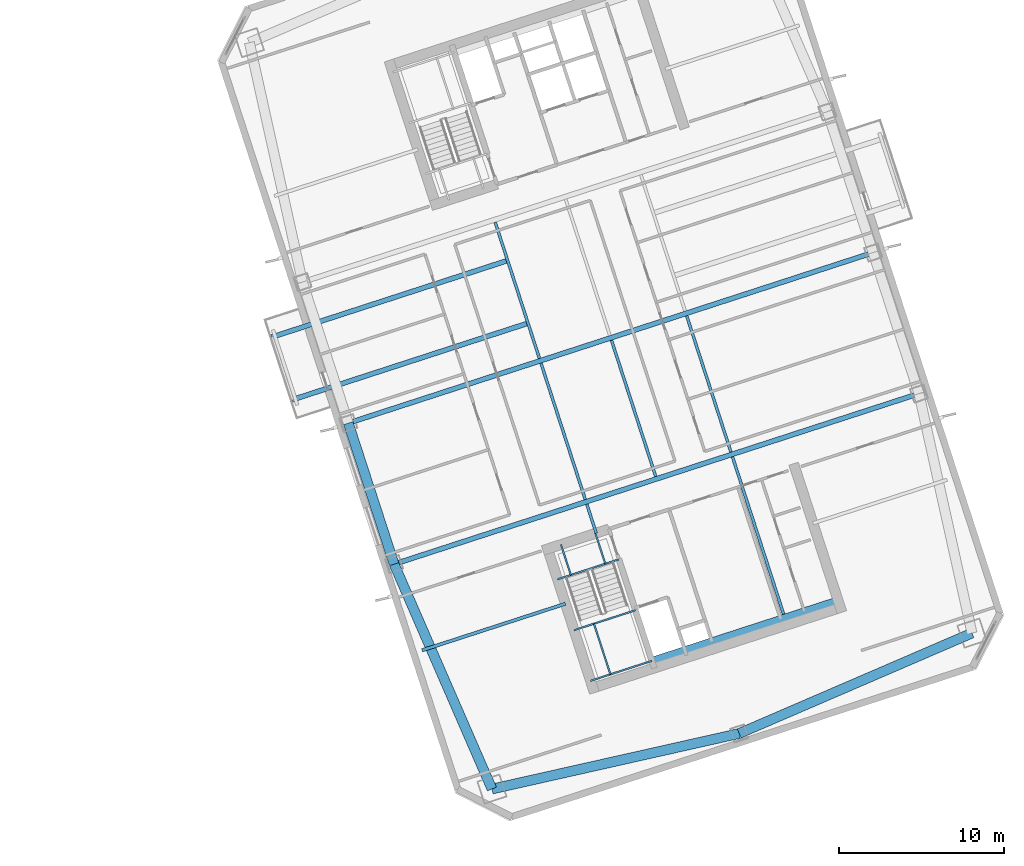
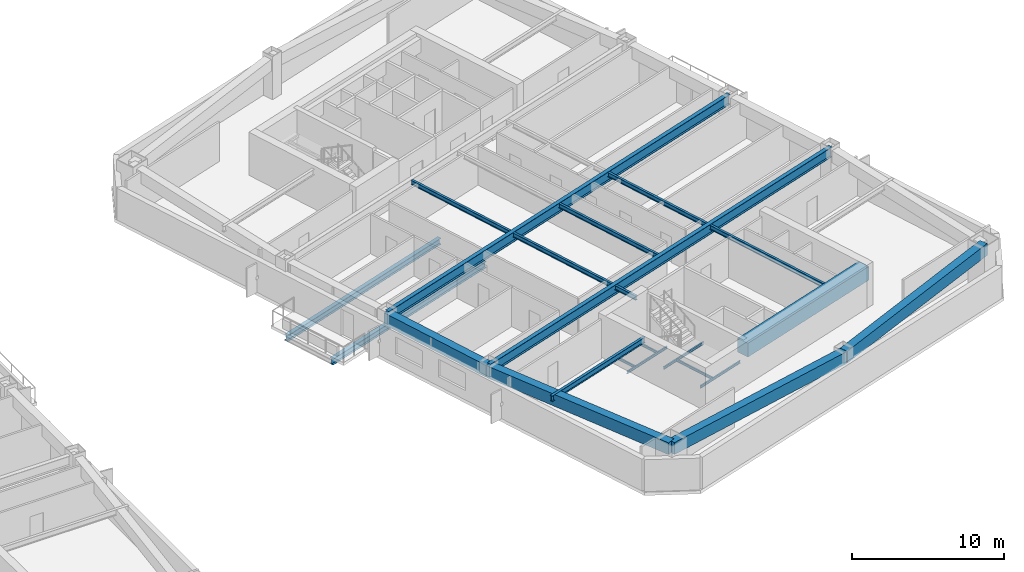
# One storey, part 8 of 23: 22 beams.
"""IFC4 building model written with IfcOpenShell, lengths in metres."""

from ifc_helpers import new_model, si_unit, direction, frame, origin, origin_2d, place, context, subcontext, project, spatial, rectangle, i_section, extrude, material, material_profile, profile_set, type_object, element, save


model = new_model("IFC4")

# Units and contexts
model_context = context("Model", 3, precision=1e-05, world=origin(), true_north=direction((0.0, 1.0)))
body_context = subcontext(model_context, "Body", "Model", "MODEL_VIEW")
ifc_project = project(units=[si_unit("LENGTHUNIT", "METRE"), si_unit("AREAUNIT", "SQUARE_METRE"), si_unit("VOLUMEUNIT", "CUBIC_METRE"), si_unit("PLANEANGLEUNIT", "RADIAN"), si_unit("MASSUNIT", "GRAM", prefix="KILO")], contexts=[model_context])

# Site, building, storey
site_placement = place(None, origin())
site = spatial("IfcSite", under=ifc_project, at=site_placement, CompositionType="ELEMENT")
building_placement = place(site_placement, origin())
building = spatial("IfcBuilding", under=site, at=building_placement, Name="Qiaolan Cultural Towers", CompositionType="ELEMENT")
storey_placement = place(building_placement, frame((0.0, 0.0, 100.050048828125)))
storey = spatial("IfcBuildingStorey", under=building, at=storey_placement, Name="L25", CompositionType="ELEMENT", Elevation=100.050048828125)

# Beams
ifc_material_1 = material(Name="Steel Q355B", Category="steel")
ifc_material_profile_1 = material_profile(ifc_material_1, i_section(OverallWidth=0.300048828125, OverallDepth=0.488037109375, WebThickness=0.010986328125, FlangeThickness=0.01806640625, at=origin_2d()), Name="HM488x300x11x18")
ifc_profile_set_1 = profile_set([ifc_material_profile_1], Name="Steel Q355B")
beam_type_1 = type_object("IfcBeamType", Name="BM-HM488x300x11x18", PredefinedType="BEAM", material=ifc_profile_set_1)
for number, where, z_axis, x_axis, name in (
    (1, (84.978515625, 34.891845703125, -0.524169921875), (-0.95105683587, -0.309016010822, 0.0), (0.309016010822, -0.95105683587, 0.0), "L25 T2 Tree Balcony Back-Spanned Bracket Beam"),
    (2, (83.742431640625, 38.6962890625, -0.524169921875), (-0.95105206822, -0.309030683808, 0.0), (0.309030683808, -0.95105206822, 0.0), "L25 T2 Tree Balcony Back-Spanned Bracket Beam"),
):
    element("IfcBeam", number, at=place(storey_placement, frame(where, z_axis=z_axis, x_axis=x_axis)), inside=storey, type_object=beam_type_1, Name=name, PredefinedType="BEAM", context=body_context, shape_type="SweptSolid", body=[
        extrude(i_section(OverallWidth=0.300048828125, OverallDepth=0.488037109375, WebThickness=0.010986328125, FlangeThickness=0.01806640625, at=origin_2d()), origin(), (0.0, 0.0, 1.0), 15.0498046875),
    ])
ifc_material_2 = material(Name="Steel Q355B", Category="steel")
ifc_material_profile_2 = material_profile(ifc_material_2, i_section(OverallWidth=0.300048828125, OverallDepth=0.800048828125, WebThickness=0.013916015625, FlangeThickness=0.02587890625, at=origin_2d()), Name="HN800x300x14x26")
ifc_profile_set_2 = profile_set([ifc_material_profile_2], Name="Steel Q355B")
beam_type_2 = type_object("IfcBeamType", Name="BM-HN800x300x14x26", PredefinedType="BEAM", material=ifc_profile_set_2)
for number, where, z_axis, x_axis, name in (
    (3, (76.85107421875, 20.264404296875, 2.7900390625), (0.951056559899, 0.309016860175, 0.0), (-0.309016860175, 0.951056559899, 0.0), "L25 T2 Primary Transverse Girder V1"),
    (4, (74.06982421875, 28.823974609375, 2.7900390625), (0.951056559899, 0.309016860175, 0.0), (-0.309016860175, 0.951056559899, 0.0), "L25 T2 Primary Transverse Girder V2"),
):
    element("IfcBeam", number, at=place(storey_placement, frame(where, z_axis=z_axis, x_axis=x_axis)), inside=storey, type_object=beam_type_2, Name=name, PredefinedType="BEAM", context=body_context, shape_type="SweptSolid", body=[
        extrude(i_section(OverallWidth=0.300048828125, OverallDepth=0.800048828125, WebThickness=0.013916015625, FlangeThickness=0.02587890625, at=origin_2d()), origin(), (0.0, 0.0, 1.0), 33.5),
    ])
ifc_material_3 = material(Name="Steel Q355B", Category="steel")
ifc_material_profile_3 = material_profile(ifc_material_3, i_section(OverallWidth=0.175048828125, OverallDepth=0.35009765625, WebThickness=0.007080078125, FlangeThickness=0.010986328125, at=origin_2d()), Name="HN350x175x7x11")
ifc_profile_set_3 = profile_set([ifc_material_profile_3], Name="Steel Q355B")
beam_type_3 = type_object("IfcBeamType", Name="BM-JST-HN350x175x7x11", PredefinedType="JOIST", material=ifc_profile_set_3)
beam_1_placement = place(storey_placement, frame((89.119384765625, 22.147705078125, 3.014892578125), z_axis=(-0.308933885266, 0.951083516067, 0.0), x_axis=(-0.951083516067, -0.308933885266, 0.0)))
element("IfcBeam", 5, at=beam_1_placement, inside=storey, type_object=beam_type_3, Name="L25 T2 Secondary Floor Joist U1-1", PredefinedType="JOIST", context=body_context, shape_type="SweptSolid", body=[
    extrude(i_section(OverallWidth=0.175048828125, OverallDepth=0.35009765625, WebThickness=0.007080078125, FlangeThickness=0.010986328125, at=origin_2d()), origin(), (0.0, 0.0, 1.0), 1.85009765625),
])
for number, where, z_axis, x_axis, name in (
    (6, (88.455078125, 24.192626953125, 3.014892578125), (-0.309020714809, 0.951055307445, 0.0), (-0.951055307445, -0.309020714809, 0.0), "L25 T2 Secondary Floor Joist U1-2"),
    (7, (85.673828125, 32.752197265625, 3.014892578125), (-0.309020714809, 0.951055307445, 0.0), (-0.951055307445, -0.309020714809, 0.0), "L25 T2 Secondary Floor Joist U1-3"),
    (8, (92.73486328125, 25.583251953125, 3.014892578125), (-0.309020714809, 0.951055307445, 0.0), (-0.951055307445, -0.309020714809, 0.0), "L25 T2 Secondary Floor Joist U2-2"),
):
    element("IfcBeam", number, at=place(storey_placement, frame(where, z_axis=z_axis, x_axis=x_axis)), inside=storey, type_object=beam_type_3, Name=name, PredefinedType="JOIST", context=body_context, shape_type="SweptSolid", body=[
        extrude(i_section(OverallWidth=0.175048828125, OverallDepth=0.35009765625, WebThickness=0.007080078125, FlangeThickness=0.010986328125, at=origin_2d()), origin(), (0.0, 0.0, 1.0), 8.699951171875),
    ])
beam_2_placement = place(storey_placement, frame((100.498291015625, 17.222900390625, 3.014892578125), z_axis=(-0.309025649293, 0.951053704098, 0.0), x_axis=(-0.951053704098, -0.309025649293, 0.0)))
element("IfcBeam", 9, at=beam_2_placement, inside=storey, type_object=beam_type_3, Name="L25 T2 Secondary Floor Joist U3-1", PredefinedType="JOIST", context=body_context, shape_type="SweptSolid", body=[
    extrude(i_section(OverallWidth=0.175048828125, OverallDepth=0.35009765625, WebThickness=0.007080078125, FlangeThickness=0.010986328125, at=origin_2d()), origin(), (0.0, 0.0, 1.0), 10.050048828125),
])
beam_3_placement = place(storey_placement, frame((97.2998046875, 27.06640625, 3.014892578125), z_axis=(-0.309020714809, 0.951055307445, 0.0), x_axis=(-0.951055307445, -0.309020714809, 0.0)))
element("IfcBeam", 10, at=beam_3_placement, inside=storey, type_object=beam_type_3, Name="L25 T2 Secondary Floor Joist U3-2", PredefinedType="JOIST", context=body_context, shape_type="SweptSolid", body=[
    extrude(i_section(OverallWidth=0.175048828125, OverallDepth=0.35009765625, WebThickness=0.007080078125, FlangeThickness=0.010986328125, at=origin_2d()), origin(), (0.0, 0.0, 1.0), 8.699951171875),
])
ifc_material_4 = material(Name="Steel Q355B", Category="steel")
ifc_material_profile_4 = material_profile(ifc_material_4, i_section(OverallWidth=0.199951171875, OverallDepth=0.449951171875, WebThickness=0.009033203125, FlangeThickness=0.013916015625, at=origin_2d()), Name="HN450x200x9x14")
ifc_profile_set_4 = profile_set([ifc_material_profile_4], Name="Steel Q355B")
beam_type_4 = type_object("IfcBeamType", Name="BM-LNT-HN450x200x9x14", PredefinedType="LINTEL", material=ifc_profile_set_4)
beam_4_placement = place(storey_placement, frame((87.252685546875, 17.861083984375, 2.96484375), z_axis=(-0.951059948176, -0.309006431933, 0.0), x_axis=(0.309006431933, -0.951059948176, 0.0)))
element("IfcBeam", 11, at=beam_4_placement, inside=storey, type_object=beam_type_4, Name="L25 T2 Core Flank Tie Lintel WS", PredefinedType="LINTEL", context=body_context, shape_type="SweptSolid", body=[
    extrude(i_section(OverallWidth=0.199951171875, OverallDepth=0.449951171875, WebThickness=0.009033203125, FlangeThickness=0.013916015625, at=origin_2d()), origin(), (0.0, 0.0, 1.0), 9.14990234375),
])
ifc_material_5 = material(Name="Concrete C50", Category="concrete")
ifc_material_profile_5 = material_profile(ifc_material_5, rectangle(XDim=0.89990234375, YDim=1.10009765625, at=origin_2d()), Name="RC900x1100")
ifc_profile_set_5 = profile_set([ifc_material_profile_5], Name="Concrete C50")
beam_type_5 = type_object("IfcBeamType", Name="BM-RC900x1100", PredefinedType="BEAM", material=ifc_profile_set_5)
beam_5_placement = place(storey_placement, frame((92.572265625, 14.174560546875, 2.639892578125), z_axis=(0.951056266386, 0.309017763514, 0.0), x_axis=(-0.309017763514, 0.951056266386, 0.0)))
element("IfcBeam", 12, at=beam_5_placement, inside=storey, type_object=beam_type_5, Name="L25 T2 Core Header Girder S", PredefinedType="BEAM", context=body_context, shape_type="SweptSolid", body=[
    extrude(rectangle(XDim=0.89990234375, YDim=1.10009765625, at=origin_2d()), origin(), (0.0, 0.0, 1.0), 11.880126953125),
])
ifc_material_6 = material(Name="Concrete C50", Category="concrete")
ifc_material_profile_6 = material_profile(ifc_material_6, rectangle(XDim=0.60009765625, YDim=0.949951171875, at=origin_2d()), Name="RC600x950")
ifc_profile_set_6 = profile_set([ifc_material_profile_6], Name="Concrete C50")
beam_type_6 = type_object("IfcBeamType", Name="BM-SPD-RC600x950", PredefinedType="SPANDREL", material=ifc_profile_set_6)
beam_6_placement = place(storey_placement, frame((82.79052734375, 6.611572265625, 2.71484375), z_axis=(0.975658154374, 0.219296980836, 0.0), x_axis=(-0.219296980836, 0.975658154374, 0.0)))
element("IfcBeam", 13, at=beam_6_placement, inside=storey, type_object=beam_type_6, Name="L25 T2 Perimeter Spandrel Beam 1", PredefinedType="SPANDREL", context=body_context, shape_type="SweptSolid", body=[
    extrude(rectangle(XDim=0.60009765625, YDim=0.949951171875, at=origin_2d()), origin(), (0.0, 0.0, 1.0), 15.38671875),
])
beam_7_placement = place(storey_placement, frame((97.802734375, 9.98583984375, 2.71484375), z_axis=(0.918217549337, 0.396076422032, 0.0), x_axis=(-0.396076422032, 0.918217549337, 0.0)))
element("IfcBeam", 14, at=beam_7_placement, inside=storey, type_object=beam_type_6, Name="L25 T2 Perimeter Spandrel Beam 2", PredefinedType="SPANDREL", context=body_context, shape_type="SweptSolid", body=[
    extrude(rectangle(XDim=0.60009765625, YDim=0.949951171875, at=origin_2d()), origin(), (0.0, 0.0, 1.0), 15.386474609375),
])
beam_8_placement = place(storey_placement, frame((74.06982421875, 28.823974609375, 2.71484375), z_axis=(0.309024734286, -0.951054001411, 0.0), x_axis=(0.951054001411, 0.309024734286, 0.0)))
element("IfcBeam", 15, at=beam_8_placement, inside=storey, type_object=beam_type_6, Name="L25 T2 Perimeter Spandrel Beam 11", PredefinedType="SPANDREL", context=body_context, shape_type="SweptSolid", body=[
    extrude(rectangle(XDim=0.60009765625, YDim=0.949951171875, at=origin_2d()), origin(), (0.0, 0.0, 1.0), 9.0),
])
beam_9_placement = place(storey_placement, frame((76.85107421875, 20.264404296875, 2.71484375), z_axis=(0.398920370799, -0.916985571185, 0.0), x_axis=(0.916985571185, 0.398920370799, 0.0)))
element("IfcBeam", 16, at=beam_9_placement, inside=storey, type_object=beam_type_6, Name="L25 T2 Perimeter Spandrel Beam 12", PredefinedType="SPANDREL", context=body_context, shape_type="SweptSolid", body=[
    extrude(rectangle(XDim=0.60009765625, YDim=0.949951171875, at=origin_2d()), origin(), (0.0, 0.0, 1.0), 14.888916015625),
])
ifc_material_7 = material(Name="Steel Q355B", Category="steel")
ifc_material_profile_7 = material_profile(ifc_material_7, i_section(OverallWidth=0.10009765625, OverallDepth=0.199951171875, WebThickness=0.005615234375, FlangeThickness=0.008056640625, at=origin_2d()), Name="HN200x100x5.5x8")
ifc_profile_set_7 = profile_set([ifc_material_profile_7], Name="Steel Q355B")
beam_type_7 = type_object("IfcBeamType", Name="BM-STTRIM-200", PredefinedType="BEAM", material=ifc_profile_set_7)
beam_10_placement = place(storey_placement, frame((86.770751953125, 19.3447265625, -0.4599609375), z_axis=(0.951047798727, 0.309043823005, 0.0), x_axis=(-0.309043823005, 0.951047798727, 0.0)))
element("IfcBeam", 17, at=beam_10_placement, inside=storey, type_object=beam_type_7, Name="L25 ST-E1 Floor Landing Header Beam", PredefinedType="BEAM", context=body_context, shape_type="SweptSolid", body=[
    extrude(i_section(OverallWidth=0.10009765625, OverallDepth=0.199951171875, WebThickness=0.005615234375, FlangeThickness=0.008056640625, at=origin_2d()), origin(), (0.0, 0.0, 1.0), 3.919921875),
])
for number, where, z_axis, x_axis, name in (
    (18, (86.9794921875, 21.452392578125, -0.4599609375), (0.309083226701, -0.951034993558, 0.0), (0.951034993558, 0.309083226701, 0.0), "L25 ST-E1 Floor Landing Stringer 1"),
    (19, (89.07177734375, 22.13232421875, -0.4599609375), (0.309083226701, -0.951034993558, 0.0), (0.951034993558, 0.309083226701, 0.0), "L25 ST-E1 Floor Landing Stringer 2"),
):
    element("IfcBeam", number, at=place(storey_placement, frame(where, z_axis=z_axis, x_axis=x_axis)), inside=storey, type_object=beam_type_7, Name=name, PredefinedType="BEAM", context=body_context, shape_type="SweptSolid", body=[
        extrude(i_section(OverallWidth=0.10009765625, OverallDepth=0.199951171875, WebThickness=0.005615234375, FlangeThickness=0.008056640625, at=origin_2d()), origin(), (0.0, 0.0, 1.0), 1.93994140625),
    ])
for number, where, z_axis, x_axis, name in (
    (20, (87.774658203125, 16.255126953125, 1.425048828125), (0.951047798727, 0.309043823005, 0.0), (-0.309043823005, 0.951047798727, 0.0), "L25 ST-E1 Stair Landing Support Beam 1-1"),
    (21, (88.773193359375, 13.181884765625, 1.425048828125), (0.951047798727, 0.309043823005, 0.0), (-0.309043823005, 0.951047798727, 0.0), "L25 ST-E1 Stair Landing Support Beam 1-2"),
):
    element("IfcBeam", number, at=place(storey_placement, frame(where, z_axis=z_axis, x_axis=x_axis)), inside=storey, type_object=beam_type_7, Name=name, PredefinedType="BEAM", context=body_context, shape_type="SweptSolid", body=[
        extrude(i_section(OverallWidth=0.10009765625, OverallDepth=0.199951171875, WebThickness=0.005615234375, FlangeThickness=0.008056640625, at=origin_2d()), origin(), (0.0, 0.0, 1.0), 3.919921875),
    ])
beam_11_placement = place(storey_placement, frame((88.982421875, 16.6474609375, 1.425048828125), z_axis=(0.309033108495, -0.951051280349, 0.0), x_axis=(0.951051280349, 0.309033108495, 0.0)))
element("IfcBeam", 22, at=beam_11_placement, inside=storey, type_object=beam_type_7, Name="L25 ST-E1 Stair Landing Trimmer 1", PredefinedType="BEAM", context=body_context, shape_type="SweptSolid", body=[
    extrude(i_section(OverallWidth=0.10009765625, OverallDepth=0.199951171875, WebThickness=0.005615234375, FlangeThickness=0.008056640625, at=origin_2d()), origin(), (0.0, 0.0, 1.0), 3.231201171875),
])

save(model, "model.ifc")
